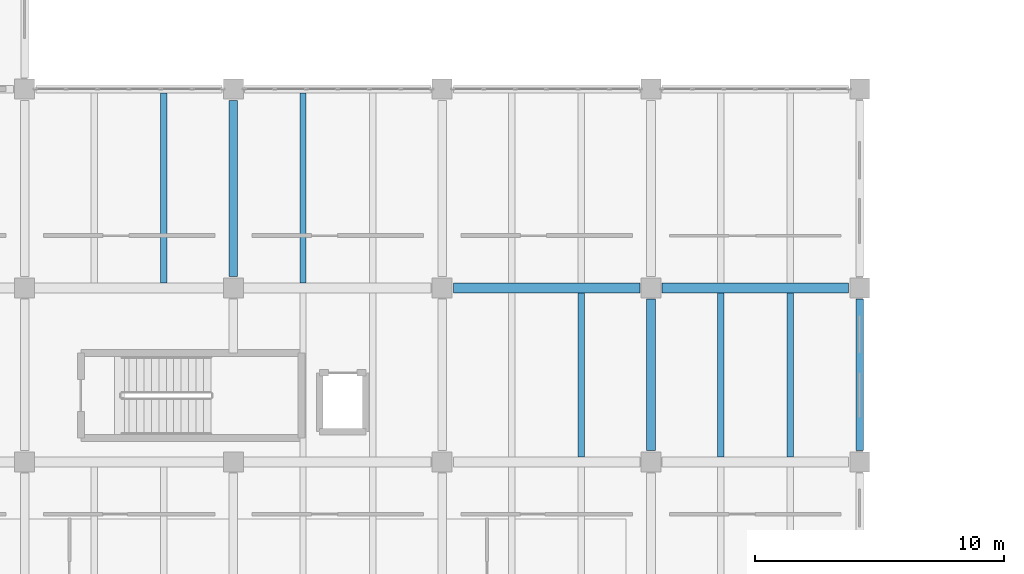
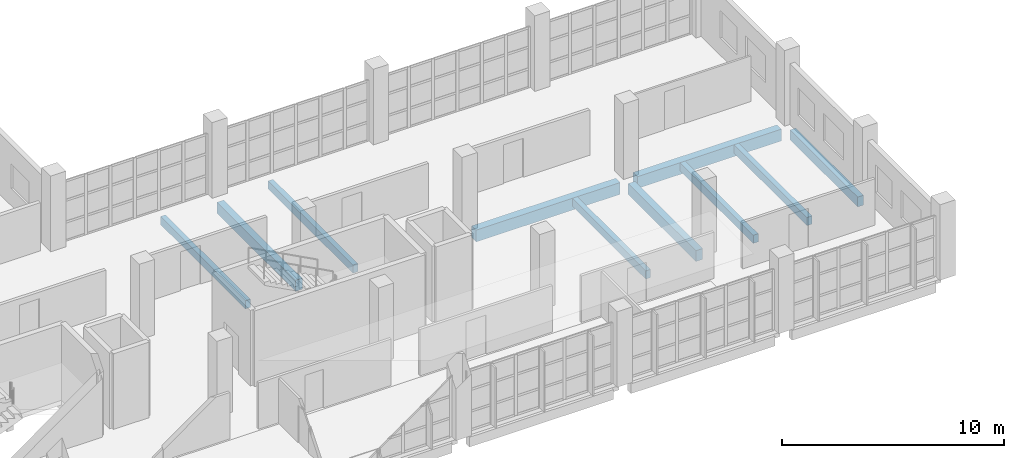
# One storey, part 44 of 177: 10 beams.
"""IFC4 building model written with IfcOpenShell, lengths in metres."""

from ifc_helpers import new_model, si_unit, direction, frame, origin, origin_2d, place, context, subcontext, project, spatial, rectangle, extrude, material, material_profile, profile_set, type_object, element, save


model = new_model("IFC4")

# Units and contexts
model_context = context("Model", 3, precision=1e-05, world=origin(), true_north=direction((0.0, 1.0)))
body_context = subcontext(model_context, "Body", "Model", "MODEL_VIEW")
ifc_project = project(units=[si_unit("LENGTHUNIT", "METRE"), si_unit("AREAUNIT", "SQUARE_METRE"), si_unit("VOLUMEUNIT", "CUBIC_METRE"), si_unit("PLANEANGLEUNIT", "RADIAN"), si_unit("MASSUNIT", "GRAM", prefix="KILO"), si_unit("THERMODYNAMICTEMPERATUREUNIT", "KELVIN"), si_unit("POWERUNIT", "WATT")], contexts=[model_context])

# Site, building, storey
site_placement = place(None, origin())
site = spatial("IfcSite", under=ifc_project, at=site_placement, CompositionType="ELEMENT")
building_placement = place(site_placement, origin())
building = spatial("IfcBuilding", under=site, at=building_placement, Name="Mavoryth Pier Ferry Terminal", CompositionType="ELEMENT")
storey_placement = place(building_placement, frame((0.0, 0.0, 5.43994140625)))
storey = spatial("IfcBuildingStorey", under=building, at=storey_placement, Name="L01", CompositionType="ELEMENT", Elevation=5.43994140625)

# Beams
ifc_material = material(Name="Concrete C35/45", Category="concrete")
ifc_material_profile_1 = material_profile(ifc_material, rectangle(XDim=0.35009765625, YDim=0.60009765625, at=origin_2d()), Name="RC 350x600", Category="concrete")
ifc_profile_set_1 = profile_set([ifc_material_profile_1], Name="Concrete C35/45 - RC 350x600")
beam_type_1 = type_object("IfcBeamType", Name="Girder-RC-350x600", PredefinedType="BEAM", material=ifc_profile_set_1)
beam_1_placement = place(storey_placement, frame((67.199951171875, 14.449951171875, -0.56005859375), z_axis=(0.0, 1.0, 0.0), x_axis=(-1.0, 0.0, 0.0)))
element("IfcBeam", 1, at=beam_1_placement, inside=storey, type_object=beam_type_1, Name="Beam B01-BG08-0545", PredefinedType="BEAM", context=body_context, shape_type="SweptSolid", body=[
    extrude(rectangle(XDim=0.35009765625, YDim=0.60009765625, at=origin_2d()), origin(), (0.0, 0.0, 1.0), 7.10009765625),
])
beam_2_placement = place(storey_placement, frame((84.0, 7.449951171875, -0.56005859375), z_axis=(0.0, 1.0, 0.0), x_axis=(-1.0, 0.0, 0.0)))
element("IfcBeam", 2, at=beam_2_placement, inside=storey, type_object=beam_type_1, Name="Beam B01-BG08-0550", PredefinedType="BEAM", context=body_context, shape_type="SweptSolid", body=[
    extrude(rectangle(XDim=0.35009765625, YDim=0.60009765625, at=origin_2d()), origin(), (0.0, 0.0, 1.0), 6.10009765625),
])
ifc_material_profile_2 = material_profile(ifc_material, rectangle(XDim=0.39990234375, YDim=0.64990234375, at=origin_2d()), Name="RC 400x650", Category="concrete")
ifc_profile_set_2 = profile_set([ifc_material_profile_2], Name="Concrete C35/45 - RC 400x650")
beam_type_2 = type_object("IfcBeamType", Name="Girder-RC-400x650", PredefinedType="BEAM", material=ifc_profile_set_2)
for number, where, z_axis, x_axis, name in (
    (3, (76.050048828125, 14.0, -0.5849609375), (1.0, 0.0, 0.0), (0.0, 1.0, 0.0), "Beam B01-BG05-0526"),
    (4, (84.449951171875, 14.0, -0.5849609375), (1.0, 0.0, 0.0), (0.0, 1.0, 0.0), "Beam B01-BG05-0527"),
):
    element("IfcBeam", number, at=place(storey_placement, frame(where, z_axis=z_axis, x_axis=x_axis)), inside=storey, type_object=beam_type_2, Name=name, PredefinedType="BEAM", context=body_context, shape_type="SweptSolid", body=[
        extrude(rectangle(XDim=0.39990234375, YDim=0.64990234375, at=origin_2d()), origin(), (0.0, 0.0, 1.0), 7.5),
    ])
ifc_material_profile_3 = material_profile(ifc_material, rectangle(XDim=0.260009765625, YDim=0.449951171875, at=origin_2d()), Name="RC 260x450", Category="concrete")
ifc_profile_set_3 = profile_set([ifc_material_profile_3], Name="Concrete C35/45 - RC 260x450")
beam_type_3 = type_object("IfcBeamType", Name="Joist-RC-260x450", PredefinedType="JOIST", material=ifc_profile_set_3)
for number, where, z_axis, x_axis, name in (
    (5, (64.39990234375, 14.199951171875, -0.48486328125), (0.0, 1.0, 0.0), (-1.0, 0.0, 0.0), "Beam B01-BJ03-0568"),
    (6, (70.0, 14.199951171875, -0.48486328125), (0.0, 1.0, 0.0), (-1.0, 0.0, 0.0), "Beam B01-BJ03-0573"),
):
    element("IfcBeam", number, at=place(storey_placement, frame(where, z_axis=z_axis, x_axis=x_axis)), inside=storey, type_object=beam_type_3, Name=name, PredefinedType="JOIST", context=body_context, shape_type="SweptSolid", body=[
        extrude(rectangle(XDim=0.260009765625, YDim=0.449951171875, at=origin_2d()), origin(), (0.0, 0.0, 1.0), 7.650146484375),
    ])
for number, where, z_axis, x_axis, name in (
    (7, (81.199951171875, 7.199951171875, -0.48486328125), (0.0, 1.0, 0.0), (-1.0, 0.0, 0.0), "Beam B01-BJ03-0578"),
    (8, (86.800048828125, 7.199951171875, -0.48486328125), (0.0, 1.0, 0.0), (-1.0, 0.0, 0.0), "Beam B01-BJ03-0583"),
    (9, (89.60009765625, 7.199951171875, -0.48486328125), (0.0, 1.0, 0.0), (-1.0, 0.0, 0.0), "Beam B01-BJ03-0584"),
):
    element("IfcBeam", number, at=place(storey_placement, frame(where, z_axis=z_axis, x_axis=x_axis)), inside=storey, type_object=beam_type_3, Name=name, PredefinedType="JOIST", context=body_context, shape_type="SweptSolid", body=[
        extrude(rectangle(XDim=0.260009765625, YDim=0.449951171875, at=origin_2d()), origin(), (0.0, 0.0, 1.0), 6.60009765625),
    ])
ifc_material_profile_4 = material_profile(ifc_material, rectangle(XDim=0.300048828125, YDim=0.5400390625, at=origin_2d()), Name="RC 300x540", Category="concrete")
ifc_profile_set_4 = profile_set([ifc_material_profile_4], Name="Concrete C35/45 - RC 300x540")
beam_type_4 = type_object("IfcBeamType", Name="Spandrel-RC-300x540", PredefinedType="SPANDREL", material=ifc_profile_set_4)
beam_3_placement = place(storey_placement, frame((92.39990234375, 7.449951171875, -0.530029296875), z_axis=(0.0, 1.0, 0.0), x_axis=(-1.0, 0.0, 0.0)))
element("IfcBeam", 10, at=beam_3_placement, inside=storey, type_object=beam_type_4, Name="Beam B01-SP02-0553", PredefinedType="SPANDREL", context=body_context, shape_type="SweptSolid", body=[
    extrude(rectangle(XDim=0.300048828125, YDim=0.5400390625, at=origin_2d()), origin(), (0.0, 0.0, 1.0), 6.10009765625),
])

save(model, "model.ifc")
